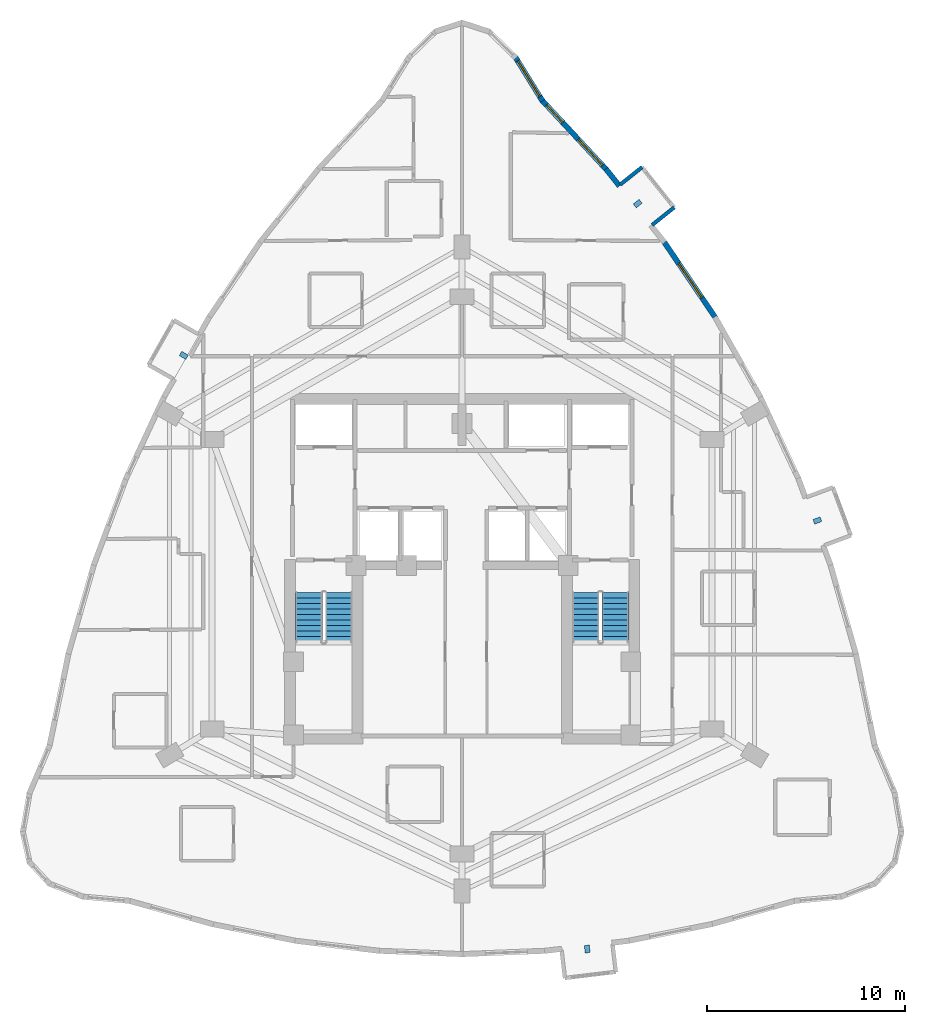
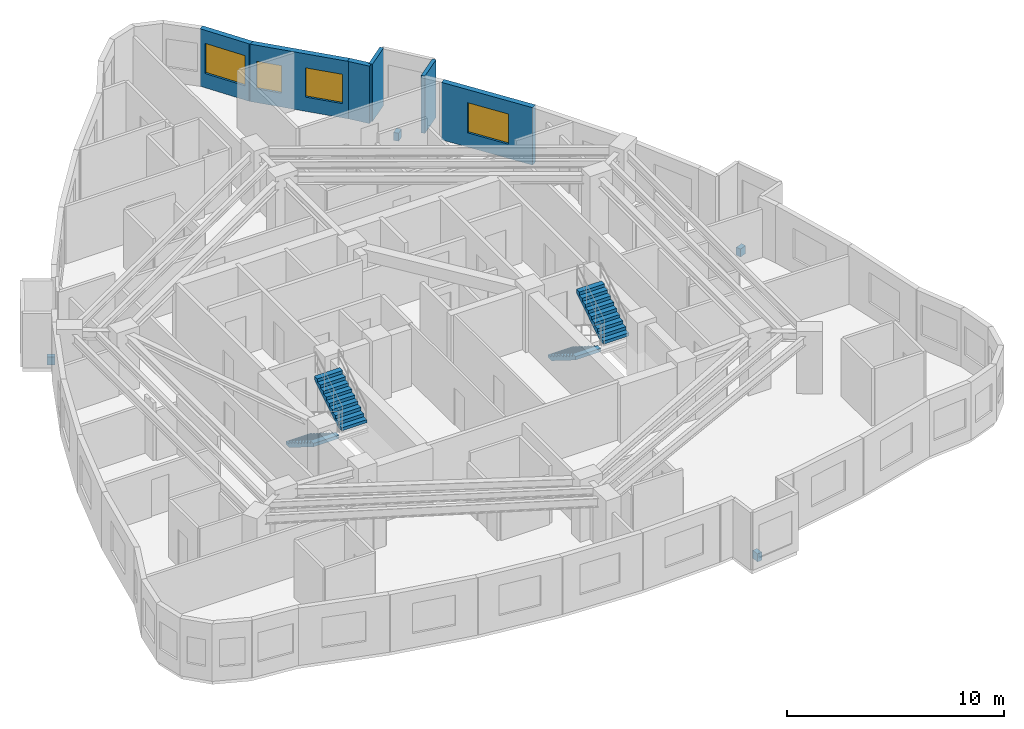
# One storey, part 11 of 12: 6 walls, 4 discrete accessories, 4 stair flights, 4 windows, 4 openings, 2 elements without a shape of their own.
"""IFC4 building model written with IfcOpenShell, lengths in metres."""

from ifc_helpers import new_model, si_unit, direction, frame, frame_2d, origin, origin_2d, place, context, subcontext, project, spatial, polyline, rectangle, outline, extrude, material, layer, layer_set, type_object, element, fill, aggregate, save


model = new_model("IFC4")

# Units and contexts
model_context = context("Model", 3, precision=1e-05, world=origin(), true_north=direction((0.0, 1.0)))
body_context = subcontext(model_context, "Body", "Model", "MODEL_VIEW")
ifc_project = project(units=[si_unit("LENGTHUNIT", "METRE"), si_unit("AREAUNIT", "SQUARE_METRE"), si_unit("VOLUMEUNIT", "CUBIC_METRE"), si_unit("PLANEANGLEUNIT", "RADIAN"), si_unit("MASSUNIT", "GRAM", prefix="KILO")], contexts=[model_context])

# Site, building, storey
site_placement = place(None, origin())
site = spatial("IfcSite", under=ifc_project, at=site_placement, CompositionType="ELEMENT")
building_placement = place(site_placement, origin())
building = spatial("IfcBuilding", under=site, at=building_placement, Name="Miruveldt Soraemaru", CompositionType="ELEMENT")
storey_placement = place(building_placement, frame((0.0, 0.0, 110.89990234375)))
storey = spatial("IfcBuildingStorey", under=building, at=storey_placement, Name="L30", CompositionType="ELEMENT", Elevation=110.89990234375)

# Walls
ifc_material_1 = material(Name="White powder-coated aluminium EN AW-6060 T6", Category="aluminium")
ifc_layer_1 = layer(ifc_material_1, 0.18994140625, Name="White powder-coated aluminium EN AW-6060 T6", Category="aluminium")
ifc_layer_set_1 = layer_set([ifc_layer_1], Name="White powder-coated aluminium EN AW-6060 T6")
wall_type_1 = type_object("IfcWallType", Name="WALL-BAY-ALU190", PredefinedType="SOLIDWALL", material=ifc_layer_set_1)
for number, where, z_axis, x_axis, name in (
    (1, (53.57666015625, 61.210693359375, 0.0), (0.0, 0.0, 1.0), (0.781737193764, 0.623608017817, 0.0), "L30 Bay Window Side Cheek 3L"),
    (2, (53.0693359375, 64.1318359375, 0.0), (0.0, 0.0, 1.0), (-0.781737193764, -0.623608017817, 0.0), "L30 Bay Window Side Cheek 3R"),
):
    element("IfcWall", number, at=place(storey_placement, frame(where, z_axis=z_axis, x_axis=x_axis)), inside=storey, type_object=wall_type_1, Name=name, PredefinedType="SOLIDWALL", context=body_context, shape_type="SweptSolid", body=[
        extrude(rectangle(XDim=1.425048828125, YDim=0.18994140625, at=frame_2d((0.71240234375, 0.0))), origin(), (0.0, 0.0, 1.0), 3.235107421875),
    ])

# Wall, opening, window
ifc_material_2 = material(Name="Precast concrete C45/55 (45 MPa)", Category="concrete")
ifc_layer_2 = layer(ifc_material_2, 0.27001953125, Name="Precast concrete C45/55 (45 MPa)", Category="concrete")
ifc_layer_set_2 = layer_set([ifc_layer_2], Name="Precast concrete C45/55 (45 MPa)")
wall_type_2 = type_object("IfcWallType", Name="WALL-EXT-PC270", PredefinedType="SOLIDWALL", material=ifc_layer_set_2)
wall_1_placement = place(storey_placement, frame((48.0517578125, 67.4658203125, 0.0), z_axis=(0.0, 0.0, 1.0), x_axis=(-0.525989656502, 0.850490964827, 0.0)))
wall_1 = element("IfcWall", 3, at=wall_1_placement, inside=storey, type_object=wall_type_2, Name="L30 Precast Concrete Facade Wall 1", PredefinedType="SOLIDWALL", context=body_context, shape_type="SweptSolid", body=[
    extrude(rectangle(XDim=2.625732421875, YDim=0.27001953125, at=frame_2d((1.31298828125, 0.0))), origin(), (0.0, 0.0, 1.0), 3.235107421875),
])
opening_1_placement = place(wall_1_placement, frame((0.262939453125, 0.0, 0.800048828125)))
opening_1 = element("IfcOpeningElement", 4, at=opening_1_placement, cuts=wall_1, Name="Opening WN-1", PredefinedType="OPENING", context=body_context, shape_type="SweptSolid", body=[
    extrude(rectangle(XDim=2.10009765625, YDim=1.699951171875, at=frame_2d((1.050048828125, 0.85009765625))), frame((0.0, 0.14501953125, 0.0), z_axis=(0.0, -1.0, 0.0), x_axis=(1.0, 0.0, 0.0)), (0.0, 0.0, 1.0), 0.2900390625),
])
ifc_material_3 = material(Name="Triple low-e insulated glazing", Category="glass")
window_type_1 = type_object("IfcWindowType", Name="WIN-PUNCH-2100x1700", PartitioningType="SINGLE_PANEL", PredefinedType="WINDOW", material=ifc_material_3)
window_1_placement = place(opening_1_placement, origin())
window_1 = element("IfcWindow", 5, at=window_1_placement, inside=storey, type_object=window_type_1, Name="L30 Punched Triple-Glazed Window 01.1", OverallHeight=1.699951171875, OverallWidth=2.10009765625, PartitioningType="SINGLE_PANEL", PredefinedType="WINDOW", context=body_context, shape_type="SweptSolid", body=[
    extrude(rectangle(XDim=2.10009765625, YDim=1.699951171875, at=frame_2d((1.050048828125, 0.85009765625))), frame((0.0, 0.030029296875, 0.0), z_axis=(0.0, -1.0, 0.0), x_axis=(1.0, 0.0, 0.0)), (0.0, 0.0, 1.0), 0.06005859375),
])
fill(opening_1, window_1)

wall_2_placement = place(storey_placement, frame((56.781494140625, 56.525146484375, 0.0), z_axis=(0.0, 0.0, 1.0), x_axis=(-0.560815831127, 0.827940579726, 0.0)))
wall_2 = element("IfcWall", 6, at=wall_2_placement, inside=storey, type_object=wall_type_2, Name="L30 Precast Concrete Facade Wall 40", PredefinedType="SOLIDWALL", context=body_context, shape_type="SweptSolid", body=[
    extrude(rectangle(XDim=4.677734375, YDim=0.27001953125, at=frame_2d((2.3388671875, 0.0))), origin(), (0.0, 0.0, 1.0), 3.235107421875),
])
opening_2_placement = place(wall_2_placement, frame((1.23095703125, 0.0, 0.800048828125)))
opening_2 = element("IfcOpeningElement", 7, at=opening_2_placement, cuts=wall_2, Name="Opening WN-1", PredefinedType="OPENING", context=body_context, shape_type="SweptSolid", body=[
    extrude(rectangle(XDim=2.10009765625, YDim=1.699951171875, at=frame_2d((1.050048828125, 0.85009765625))), frame((0.0, 0.14501953125, 0.0), z_axis=(0.0, -1.0, 0.0), x_axis=(1.0, 0.0, 0.0)), (0.0, 0.0, 1.0), 0.2900390625),
])
window_2_placement = place(opening_2_placement, origin())
window_2 = element("IfcWindow", 8, at=window_2_placement, inside=storey, type_object=window_type_1, Name="L30 Punched Triple-Glazed Window 40.1", OverallHeight=1.699951171875, OverallWidth=2.10009765625, PartitioningType="SINGLE_PANEL", PredefinedType="WINDOW", context=body_context, shape_type="SweptSolid", body=[
    extrude(rectangle(XDim=2.10009765625, YDim=1.699951171875, at=frame_2d((1.050048828125, 0.85009765625))), frame((0.0, 0.030029296875, 0.0), z_axis=(0.0, -1.0, 0.0), x_axis=(1.0, 0.0, 0.0)), (0.0, 0.0, 1.0), 0.06005859375),
])
fill(opening_2, window_2)

# Wall
wall_3_placement = place(storey_placement, frame((51.930908203125, 63.185302734375, 0.0), z_axis=(0.0, 0.0, 1.0), x_axis=(-0.623501159963, 0.781822424547, 0.0)))
element("IfcWall", 9, at=wall_3_placement, inside=storey, type_object=wall_type_2, Name="L30 Precast Pier Wall 41B", PredefinedType="SOLIDWALL", context=body_context, shape_type="SweptSolid", body=[
    extrude(rectangle(XDim=1.097900390625, YDim=0.27001953125, at=frame_2d((0.548828125, 0.0))), origin(), (0.0, 0.0, 1.0), 3.235107421875),
])

# Wall, openings, windows
wall_4_placement = place(storey_placement, frame((51.2919921875, 63.990478515625, 0.0), z_axis=(0.0, 0.0, 1.0), x_axis=(-0.680886087192, 0.732389333803, 0.0)))
wall_4 = element("IfcWall", 10, at=wall_4_placement, inside=storey, type_object=wall_type_2, Name="L30 Precast Concrete Facade Wall 42", PredefinedType="SOLIDWALL", context=body_context, shape_type="SweptSolid", body=[
    extrude(rectangle(XDim=4.82080078125, YDim=0.27001953125, at=frame_2d((2.410400390625, 0.0))), origin(), (0.0, 0.0, 1.0), 3.235107421875),
])
opening_3_placement = place(wall_4_placement, frame((0.31298828125, 0.0, 0.800048828125)))
opening_3 = element("IfcOpeningElement", 11, at=opening_3_placement, cuts=wall_4, Name="Opening WN-2", PredefinedType="OPENING", context=body_context, shape_type="SweptSolid", body=[
    extrude(rectangle(XDim=1.800048828125, YDim=1.64990234375, at=frame_2d((0.89990234375, 0.824951171875))), frame((0.0, 0.14501953125, 0.0), z_axis=(0.0, -1.0, 0.0), x_axis=(1.0, 0.0, 0.0)), (0.0, 0.0, 1.0), 0.2900390625),
])
opening_4_placement = place(wall_4_placement, frame((3.263916015625, 0.0, 0.780029296875)))
opening_4 = element("IfcOpeningElement", 12, at=opening_4_placement, cuts=wall_4, Name="Opening WN-4", PredefinedType="OPENING", context=body_context, shape_type="SweptSolid", body=[
    extrude(rectangle(XDim=1.199951171875, YDim=1.550048828125, at=frame_2d((0.60009765625, 0.77490234375))), frame((0.0, 0.14501953125, 0.0), z_axis=(0.0, -1.0, 0.0), x_axis=(1.0, 0.0, 0.0)), (0.0, 0.0, 1.0), 0.2900390625),
])
window_type_2 = type_object("IfcWindowType", Name="WIN-PUNCH-1200x1550", PartitioningType="SINGLE_PANEL", PredefinedType="WINDOW", material=ifc_material_3)
window_3_placement = place(opening_4_placement, origin())
window_3 = element("IfcWindow", 13, at=window_3_placement, inside=storey, type_object=window_type_2, Name="L30 Punched Triple-Glazed Window 42.2", OverallHeight=1.550048828125, OverallWidth=1.199951171875, PartitioningType="SINGLE_PANEL", PredefinedType="WINDOW", context=body_context, shape_type="SweptSolid", body=[
    extrude(rectangle(XDim=1.199951171875, YDim=1.550048828125, at=frame_2d((0.60009765625, 0.77490234375))), frame((0.0, 0.030029296875, 0.0), z_axis=(0.0, -1.0, 0.0), x_axis=(1.0, 0.0, 0.0)), (0.0, 0.0, 1.0), 0.06005859375),
])
fill(opening_4, window_3)
window_type_3 = type_object("IfcWindowType", Name="WIN-PUNCH-1800x1650", PartitioningType="SINGLE_PANEL", PredefinedType="WINDOW", material=ifc_material_3)
window_4_placement = place(opening_3_placement, origin())
window_4 = element("IfcWindow", 14, at=window_4_placement, inside=storey, type_object=window_type_3, Name="L30 Punched Triple-Glazed Window 42.1", OverallHeight=1.64990234375, OverallWidth=1.800048828125, PartitioningType="SINGLE_PANEL", PredefinedType="WINDOW", context=body_context, shape_type="SweptSolid", body=[
    extrude(rectangle(XDim=1.800048828125, YDim=1.64990234375, at=frame_2d((0.89990234375, 0.824951171875))), frame((0.0, 0.030029296875, 0.0), z_axis=(0.0, -1.0, 0.0), x_axis=(1.0, 0.0, 0.0)), (0.0, 0.0, 1.0), 0.06005859375),
])
fill(opening_3, window_4)

# Stair, stair flights
ifc_material_4 = material(Name="Concrete C40/50 (40 MPa)", Category="concrete")
stair_type = type_object("IfcStairType", Name="STAIR-DL-350", PredefinedType="HALF_TURN_STAIR", material=ifc_material_4)
stair_1_placement = place(storey_placement, origin())
stair_1 = element("IfcStair", 15, at=stair_1_placement, inside=storey, type_object=stair_type, Name="L30 Protected Exit Stair ST-1", PredefinedType="HALF_TURN_STAIR")
stair_flight_type = type_object("IfcStairFlightType", Name="SFL-DL-350", PredefinedType="STRAIGHT", material=ifc_material_4)
stair_flight_1_placement = place(storey_placement, frame((36.27490234375, 42.699951171875, 0.0), z_axis=(0.0, 0.0, 1.0), x_axis=(0.0, -1.0, 0.0)))
stair_flight_1 = element("IfcStairFlight", 16, at=stair_flight_1_placement, type_object=stair_flight_type, Name="ST-1 flight 1", NumberOfRisers=10, NumberOfTreads=9, PredefinedType="STRAIGHT", RiserHeight=0.175, TreadLength=0.28, context=body_context, shape_type="SweptSolid", body=[
    extrude(outline(polyline([(0.0, 0.0), (0.0, 0.175048828125), (0.280029296875, 0.175048828125), (0.280029296875, 0.35009765625), (0.56005859375, 0.35009765625), (0.56005859375, 0.52490234375), (0.840087890625, 0.52490234375), (0.840087890625, 0.699951171875), (1.1201171875, 0.699951171875), (1.1201171875, 0.875), (1.39990234375, 0.875), (1.39990234375, 1.050048828125), (1.679931640625, 1.050048828125), (1.679931640625, 1.22509765625), (1.9599609375, 1.22509765625), (1.9599609375, 1.39990234375), (2.239990234375, 1.39990234375), (2.239990234375, 1.574951171875), (2.52001953125, 1.574951171875), (2.52001953125, 1.75), (2.52001953125, 1.386474609375), (0.3017578125, 0.0), (0.0, 0.0)])), frame((0.0, 0.675048828125, 0.0), z_axis=(0.0, -1.0, 0.0), x_axis=(1.0, 0.0, 0.0)), (0.0, 0.0, 1.0), 1.35009765625),
])
stair_flight_2_placement = place(storey_placement, frame((37.77490234375, 40.179931640625, 1.75), z_axis=(0.0, 0.0, 1.0), x_axis=(0.0, 1.0, 0.0)))
stair_flight_2 = element("IfcStairFlight", 17, at=stair_flight_2_placement, type_object=stair_flight_type, Name="ST-1 flight 2", NumberOfRisers=10, NumberOfTreads=9, PredefinedType="STRAIGHT", RiserHeight=0.175, TreadLength=0.28, context=body_context, shape_type="SweptSolid", body=[
    extrude(outline(polyline([(0.0, 0.0), (0.0, 0.175048828125), (0.280029296875, 0.175048828125), (0.280029296875, 0.35009765625), (0.56005859375, 0.35009765625), (0.56005859375, 0.52490234375), (0.840087890625, 0.52490234375), (0.840087890625, 0.699951171875), (1.1201171875, 0.699951171875), (1.1201171875, 0.875), (1.39990234375, 0.875), (1.39990234375, 1.050048828125), (1.679931640625, 1.050048828125), (1.679931640625, 1.22509765625), (1.9599609375, 1.22509765625), (1.9599609375, 1.39990234375), (2.239990234375, 1.39990234375), (2.239990234375, 1.574951171875), (2.52001953125, 1.574951171875), (2.52001953125, 1.75), (2.52001953125, 1.386474609375), (0.3017578125, 0.0), (0.0, 0.0)])), frame((0.0, 0.675048828125, 0.0), z_axis=(0.0, -1.0, 0.0), x_axis=(1.0, 0.0, 0.0)), (0.0, 0.0, 1.0), 1.35009765625),
])
aggregate(stair_1, [stair_flight_1, stair_flight_2])

stair_2_placement = place(storey_placement, origin())
stair_2 = element("IfcStair", 18, at=stair_2_placement, inside=storey, type_object=stair_type, Name="L30 Protected Exit Stair ST-2", PredefinedType="HALF_TURN_STAIR")
stair_flight_3_placement = place(storey_placement, frame((50.22509765625, 42.699951171875, 0.0), z_axis=(0.0, 0.0, 1.0), x_axis=(0.0, -1.0, 0.0)))
stair_flight_3 = element("IfcStairFlight", 19, at=stair_flight_3_placement, type_object=stair_flight_type, Name="ST-2 flight 1", NumberOfRisers=10, NumberOfTreads=9, PredefinedType="STRAIGHT", RiserHeight=0.175, TreadLength=0.28, context=body_context, shape_type="SweptSolid", body=[
    extrude(outline(polyline([(0.0, 0.0), (0.0, 0.175048828125), (0.280029296875, 0.175048828125), (0.280029296875, 0.35009765625), (0.56005859375, 0.35009765625), (0.56005859375, 0.52490234375), (0.840087890625, 0.52490234375), (0.840087890625, 0.699951171875), (1.1201171875, 0.699951171875), (1.1201171875, 0.875), (1.39990234375, 0.875), (1.39990234375, 1.050048828125), (1.679931640625, 1.050048828125), (1.679931640625, 1.22509765625), (1.9599609375, 1.22509765625), (1.9599609375, 1.39990234375), (2.239990234375, 1.39990234375), (2.239990234375, 1.574951171875), (2.52001953125, 1.574951171875), (2.52001953125, 1.75), (2.52001953125, 1.386474609375), (0.3017578125, 0.0), (0.0, 0.0)])), frame((0.0, 0.675048828125, 0.0), z_axis=(0.0, -1.0, 0.0), x_axis=(1.0, 0.0, 0.0)), (0.0, 0.0, 1.0), 1.35009765625),
])
stair_flight_4_placement = place(storey_placement, frame((51.72509765625, 40.179931640625, 1.75), z_axis=(0.0, 0.0, 1.0), x_axis=(0.0, 1.0, 0.0)))
stair_flight_4 = element("IfcStairFlight", 20, at=stair_flight_4_placement, type_object=stair_flight_type, Name="ST-2 flight 2", NumberOfRisers=10, NumberOfTreads=9, PredefinedType="STRAIGHT", RiserHeight=0.175, TreadLength=0.28, context=body_context, shape_type="SweptSolid", body=[
    extrude(outline(polyline([(0.0, 0.0), (0.0, 0.175048828125), (0.280029296875, 0.175048828125), (0.280029296875, 0.35009765625), (0.56005859375, 0.35009765625), (0.56005859375, 0.52490234375), (0.840087890625, 0.52490234375), (0.840087890625, 0.699951171875), (1.1201171875, 0.699951171875), (1.1201171875, 0.875), (1.39990234375, 0.875), (1.39990234375, 1.050048828125), (1.679931640625, 1.050048828125), (1.679931640625, 1.22509765625), (1.9599609375, 1.22509765625), (1.9599609375, 1.39990234375), (2.239990234375, 1.39990234375), (2.239990234375, 1.574951171875), (2.52001953125, 1.574951171875), (2.52001953125, 1.75), (2.52001953125, 1.386474609375), (0.3017578125, 0.0), (0.0, 0.0)])), frame((0.0, 0.675048828125, 0.0), z_axis=(0.0, -1.0, 0.0), x_axis=(1.0, 0.0, 0.0)), (0.0, 0.0, 1.0), 1.35009765625),
])
aggregate(stair_2, [stair_flight_3, stair_flight_4])

# Discrete accessories
ifc_material_5 = material(Name="Steel SM355 (355 MPa)", Category="steel")
discrete_accessory_type = type_object("IfcDiscreteAccessoryType", Name="ACC-BAY-BRK", PredefinedType="BRACKET", material=ifc_material_5)
for number, where, z_axis, x_axis, name in (
    (21, (50.3076171875, 24.71728515625, -0.7099609375), (0.0, 0.0, 1.0), (0.119149147143, -0.992876367296, 0.0), "L30 Bay Window Cantilever Bracket 1"),
    (22, (61.908203125, 46.318115234375, -0.7099609375), (0.0, 0.0, 1.0), (0.93711153314, 0.349030048069, 0.0), "L30 Bay Window Cantilever Bracket 2"),
    (23, (52.847900390625, 62.29248046875, -0.7099609375), (0.0, 0.0, 1.0), (0.781727315753, 0.623620400408, 0.0), "L30 Bay Window Cantilever Bracket 3"),
    (24, (29.969482421875, 54.641845703125, -0.7099609375), (0.0, 0.0, 1.0), (-0.869839554062, 0.493334724289, 0.0), "L30 Bay Window Cantilever Bracket 4"),
):
    element("IfcDiscreteAccessory", number, at=place(storey_placement, frame(where, z_axis=z_axis, x_axis=x_axis)), inside=storey, type_object=discrete_accessory_type, Name=name, PredefinedType="BRACKET", context=body_context, shape_type="SweptSolid", body=[
        extrude(rectangle(XDim=0.3798828125, YDim=0.25, at=origin_2d()), origin(), (0.0, 0.0, 1.0), 0.449951171875),
    ])

save(model, "model.ifc")
